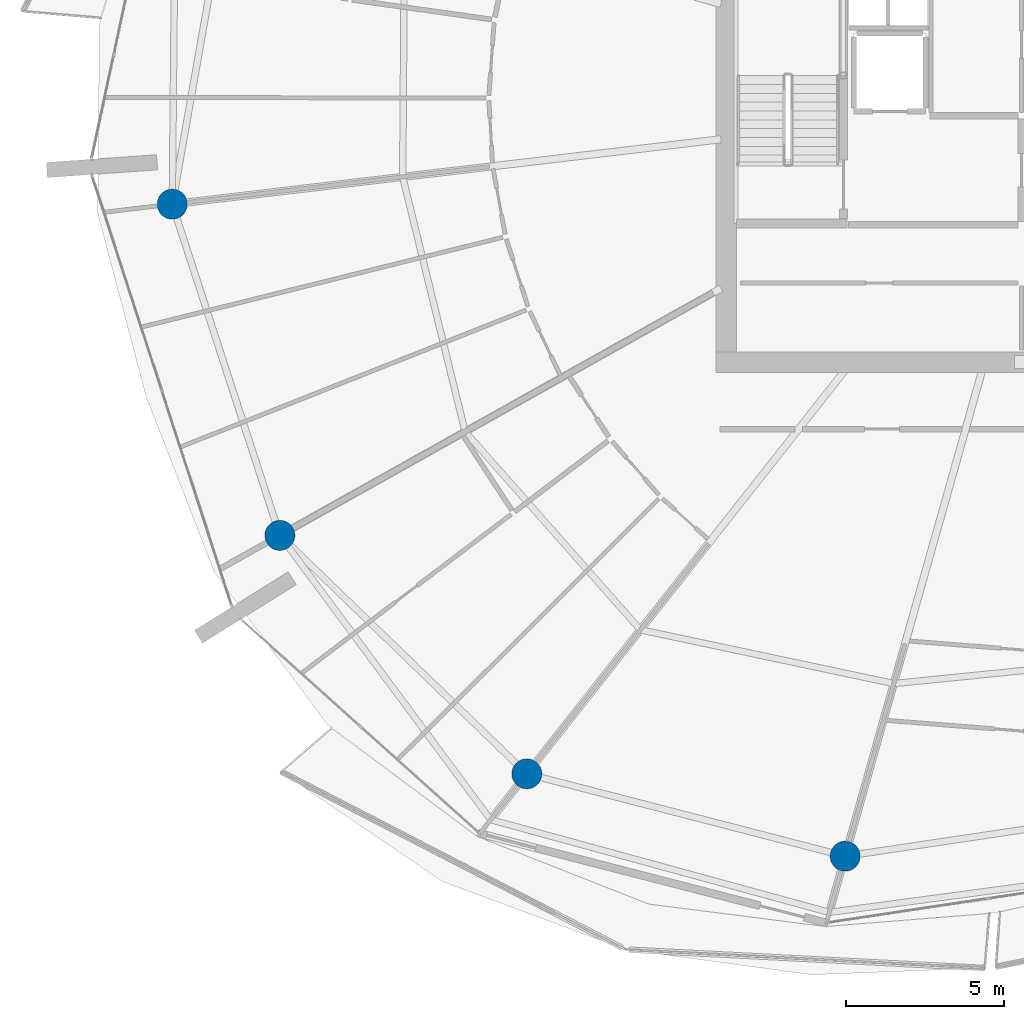
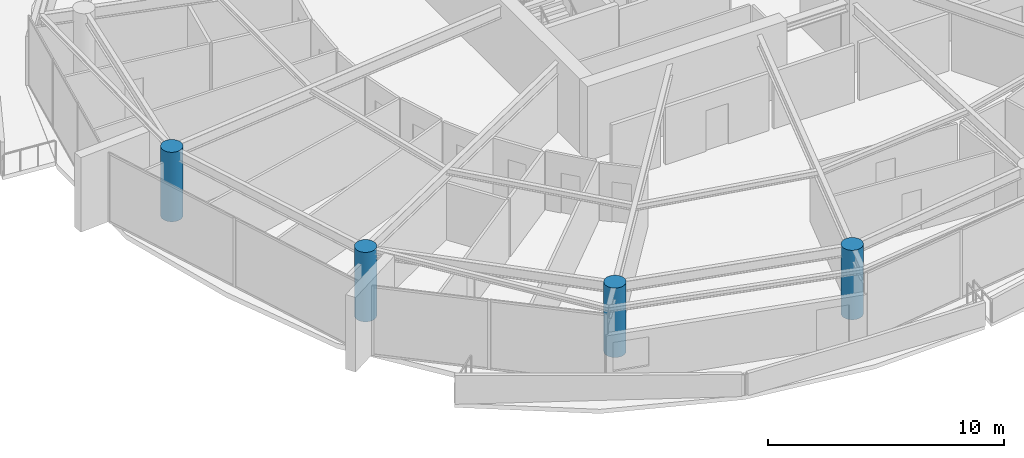
# One storey, part 1 of 30: 4 columns.
"""IFC4 building model written with IfcOpenShell, lengths in metres."""

from ifc_helpers import new_model, si_unit, direction, frame, origin, origin_2d, place, context, subcontext, project, spatial, circle, extrude, material, material_profile, profile_set, type_object, element, save


model = new_model("IFC4")

# Units and contexts
model_context = context("Model", 3, precision=1e-05, world=origin(), true_north=direction((0.0, 1.0)))
body_context = subcontext(model_context, "Body", "Model", "MODEL_VIEW")
ifc_project = project(units=[si_unit("LENGTHUNIT", "METRE"), si_unit("AREAUNIT", "SQUARE_METRE"), si_unit("VOLUMEUNIT", "CUBIC_METRE"), si_unit("PLANEANGLEUNIT", "RADIAN"), si_unit("MASSUNIT", "GRAM", prefix="KILO")], contexts=[model_context])

# Site, building, storey
site_placement = place(None, origin())
site = spatial("IfcSite", under=ifc_project, at=site_placement, CompositionType="ELEMENT")
building_placement = place(site_placement, origin())
building = spatial("IfcBuilding", under=site, at=building_placement, Name="Kazma Halo Residences", CompositionType="ELEMENT")
storey_placement = place(building_placement, frame((0.0, 0.0, 255.949951171875)))
storey = spatial("IfcBuildingStorey", under=building, at=storey_placement, Name="L64", CompositionType="ELEMENT", Elevation=255.949951171875)

# Columns
ifc_material = material(Name="Concrete C60/75", Category="concrete")
ifc_material_profile = material_profile(ifc_material, circle(Radius=0.47509765625, at=origin_2d()), Name="CIRC950")
ifc_profile_set = profile_set([ifc_material_profile], Name="Concrete C60/75")
column_type = type_object("IfcColumnType", Name="COL-PERIM-950", PredefinedType="COLUMN", material=ifc_profile_set)
for number, where, z_axis, x_axis, name in (
    (1, (19.92041015625, 38.676513671875, 0.0), (0.0, 0.0, 1.0), (1.0, 0.0, 0.0), "L64 perimeter ring column P08"),
    (2, (23.32958984375, 28.18408203125, 0.0), (0.0, 0.0, 1.0), (1.0, 0.0, 0.0), "L64 perimeter ring column P09"),
    (3, (31.15283203125, 20.62939453125, 0.0), (0.0, 0.0, 1.0), (1.0, 0.0, 0.0), "L64 perimeter ring column P10"),
    (4, (41.237060546875, 18.0205078125, 0.0), (0.0, 0.0, 1.0), (1.0, 0.0, 0.0), "L64 perimeter ring column P11"),
):
    element("IfcColumn", number, at=place(storey_placement, frame(where, z_axis=z_axis, x_axis=x_axis)), inside=storey, type_object=column_type, Name=name, PredefinedType="COLUMN", context=body_context, shape_type="SweptSolid", body=[
        extrude(circle(Radius=0.47509765625, at=origin_2d()), origin(), (0.0, 0.0, 1.0), 3.590087890625),
    ])

save(model, "model.ifc")
